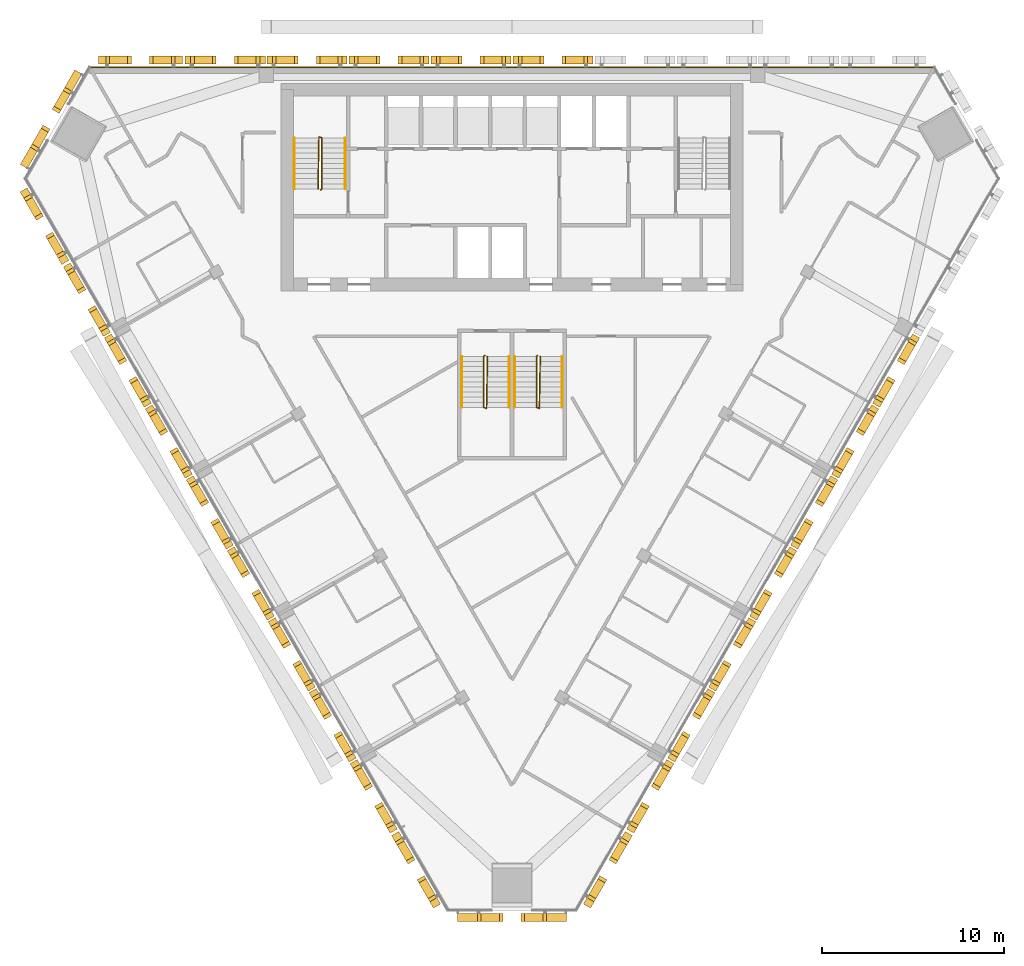
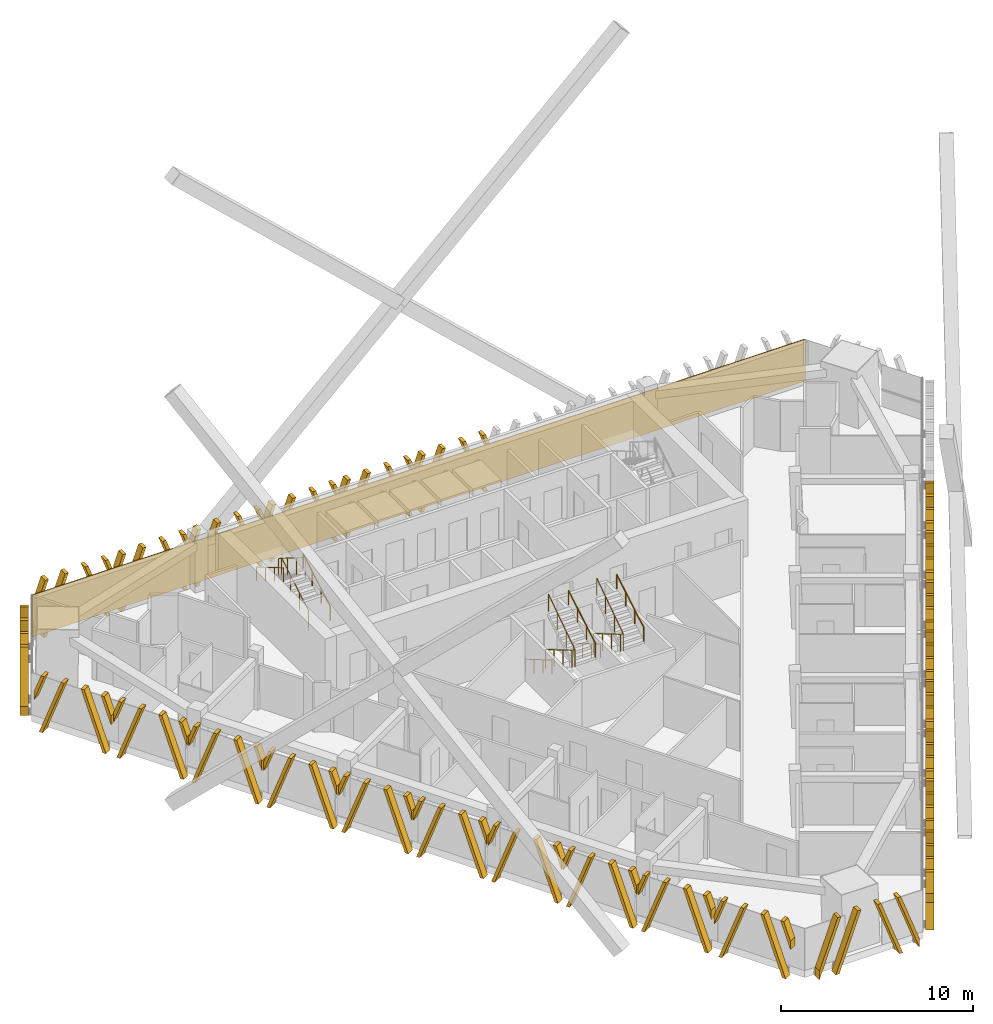
# One storey, part 16 of 18: 26 shading devices, 9 railings, 1 covering.
"""IFC4 building model written with IfcOpenShell, lengths in metres."""

from ifc_helpers import new_model, si_unit, direction, frame, frame_2d, origin, origin_2d, place, context, subcontext, project, spatial, polyline, rectangle, circle, outline, extrude, source, transform, mapped, material, layer, layer_set, type_object, element, save


model = new_model("IFC4")

# Units and contexts
model_context = context("Model", 3, precision=1e-05, world=origin(), true_north=direction((0.0, 1.0)))
body_context = subcontext(model_context, "Body", "Model", "MODEL_VIEW")
ifc_project = project(units=[si_unit("LENGTHUNIT", "METRE"), si_unit("AREAUNIT", "SQUARE_METRE"), si_unit("VOLUMEUNIT", "CUBIC_METRE"), si_unit("PLANEANGLEUNIT", "RADIAN"), si_unit("MASSUNIT", "GRAM", prefix="KILO")], contexts=[model_context])

# Site, building, storey
site_placement = place(None, origin())
site = spatial("IfcSite", under=ifc_project, at=site_placement, CompositionType="ELEMENT")
building_placement = place(site_placement, origin())
building = spatial("IfcBuilding", under=site, at=building_placement, Name="Altiplano Prism Tower", CompositionType="ELEMENT")
storey_placement = place(building_placement, frame((0.0, 0.0, 163.800048828125)))
storey = spatial("IfcBuildingStorey", under=building, at=storey_placement, Name="L42", CompositionType="ELEMENT", Elevation=163.800048828125)

# Railings
ifc_material_1 = material(Name="Steel S355", Category="steel")
railing_type_1 = type_object("IfcRailingType", Name="Stair guard 1100", PredefinedType="GUARDRAIL", material=ifc_material_1)
railing_1_placement = place(storey_placement, frame((74.5, 98.25, 0.0)))
element("IfcRailing", 1, at=railing_1_placement, inside=storey, type_object=railing_type_1, Name="L42 ST1 stair guard 1", PredefinedType="GUARDRAIL", context=body_context, shape_type="SweptSolid", body=[
    extrude(circle(Radius=0.02392578125, at=origin_2d()), frame((0.0, 0.0, 1.076171875), z_axis=(0.280808744504, 0.280808744504, 0.917765164963), x_axis=(-0.707106781187, 0.707106781187, 0.0)), (0.0, 0.0, 1.0), 0.17822265625),
    extrude(circle(Radius=0.02392578125, at=origin_2d()), frame((0.050048828125, 0.050048828125, 1.23974609375), z_axis=(0.0, 0.863360870873, 0.504586966384), x_axis=(-1.0, 0.0, 0.0)), (0.0, 0.0, 1.0), 3.2431640625),
    extrude(circle(Radius=0.02392578125, at=origin_2d()), frame((0.050048828125, 2.85009765625, 2.8759765625), z_axis=(-0.949145278916, 0.314838433982, 0.0), x_axis=(-0.314838433982, -0.949145278916, 0.0)), (0.0, 0.0, 1.0), 0.158203125),
    extrude(circle(Radius=0.02392578125, at=origin_2d()), frame((-0.10009765625, 2.89990234375, 2.8759765625), z_axis=(-0.014774583964, -0.845410385345, 0.533912906773), x_axis=(0.999847325713, -0.01747355902, 0.0)), (0.0, 0.0, 1.0), 3.370849609375),
    extrude(circle(Radius=0.02099609375, at=origin_2d()), origin(), (0.0, 0.0, 1.0), 1.052001953125),
    extrude(circle(Radius=0.02099609375, at=origin_2d()), frame((0.050048828125, 0.050048828125, 0.16357421875)), (0.0, 0.0, 1.0), 1.052001953125),
    extrude(circle(Radius=0.02099609375, at=origin_2d()), frame((0.050048828125, 0.9833984375, 0.708984375)), (0.0, 0.0, 1.0), 1.052001953125),
    extrude(circle(Radius=0.02099609375, at=origin_2d()), frame((0.050048828125, 1.916748046875, 1.254638671875)), (0.0, 0.0, 1.0), 1.052001953125),
    extrude(circle(Radius=0.02099609375, at=origin_2d()), frame((0.050048828125, 2.85009765625, 1.800048828125)), (0.0, 0.0, 1.0), 1.052001953125),
    extrude(circle(Radius=0.02099609375, at=origin_2d()), frame((-0.10009765625, 2.89990234375, 1.800048828125)), (0.0, 0.0, 1.0), 1.052001953125),
    extrude(circle(Radius=0.02099609375, at=origin_2d()), frame((-0.11669921875, 1.949951171875, 2.39990234375)), (0.0, 0.0, 1.0), 1.052001953125),
    extrude(circle(Radius=0.02099609375, at=origin_2d()), frame((-0.13330078125, 1.0, 3.0)), (0.0, 0.0, 1.0), 1.052001953125),
    extrude(circle(Radius=0.02099609375, at=origin_2d()), frame((-0.14990234375, 0.050048828125, 3.599853515625)), (0.0, 0.0, 1.0), 1.052001953125),
])
railing_2_placement = place(storey_placement, frame((83.5, 89.14990234375, 0.0)))
element("IfcRailing", 2, at=railing_2_placement, inside=storey, type_object=railing_type_1, Name="L42 ST3A stair guard 1", PredefinedType="GUARDRAIL", context=body_context, shape_type="SweptSolid", body=[
    extrude(circle(Radius=0.02392578125, at=origin_2d()), frame((0.0, 0.0, 1.076171875), z_axis=(-0.280916556609, -0.279546231943, 0.91811752648), x_axis=(0.705375805398, -0.708833529934, 0.0)), (0.0, 0.0, 1.0), 0.17822265625),
    extrude(circle(Radius=0.02392578125, at=origin_2d()), frame((-0.050048828125, -0.0498046875, 1.23974609375), z_axis=(0.0, -0.863360870873, 0.504586966384), x_axis=(1.0, 0.0, 0.0)), (0.0, 0.0, 1.0), 3.2431640625),
    extrude(circle(Radius=0.02392578125, at=origin_2d()), frame((-0.050048828125, -2.849853515625, 2.8759765625), z_axis=(0.948683298051, -0.316227766017, 0.0), x_axis=(0.316227766017, 0.948683298051, 0.0)), (0.0, 0.0, 1.0), 0.158203125),
    extrude(circle(Radius=0.02392578125, at=origin_2d()), frame((0.10009765625, -2.89990234375, 2.8759765625), z_axis=(0.014773679385, 0.845431044782, 0.53388021776), x_axis=(-0.999847351862, 0.017472062685, 0.0)), (0.0, 0.0, 1.0), 3.37109375),
    extrude(circle(Radius=0.02099609375, at=origin_2d()), origin(), (0.0, 0.0, 1.0), 1.052001953125),
    extrude(circle(Radius=0.02099609375, at=origin_2d()), frame((-0.050048828125, -0.0498046875, 0.16357421875)), (0.0, 0.0, 1.0), 1.052001953125),
    extrude(circle(Radius=0.02099609375, at=origin_2d()), frame((-0.050048828125, -0.983154296875, 0.708984375)), (0.0, 0.0, 1.0), 1.052001953125),
    extrude(circle(Radius=0.02099609375, at=origin_2d()), frame((-0.050048828125, -1.91650390625, 1.254638671875)), (0.0, 0.0, 1.0), 1.052001953125),
    extrude(circle(Radius=0.02099609375, at=origin_2d()), frame((-0.050048828125, -2.849853515625, 1.800048828125)), (0.0, 0.0, 1.0), 1.052001953125),
    extrude(circle(Radius=0.02099609375, at=origin_2d()), frame((0.10009765625, -2.89990234375, 1.800048828125)), (0.0, 0.0, 1.0), 1.052001953125),
    extrude(circle(Radius=0.02099609375, at=origin_2d()), frame((0.11669921875, -1.949951171875, 2.39990234375)), (0.0, 0.0, 1.0), 1.052001953125),
    extrude(circle(Radius=0.02099609375, at=origin_2d()), frame((0.13330078125, -0.999755859375, 3.0)), (0.0, 0.0, 1.0), 1.052001953125),
    extrude(circle(Radius=0.02099609375, at=origin_2d()), frame((0.14990234375, -0.0498046875, 3.599853515625)), (0.0, 0.0, 1.0), 1.052001953125),
])
railing_3_placement = place(storey_placement, frame((86.39990234375, 89.14990234375, 0.0)))
element("IfcRailing", 3, at=railing_3_placement, inside=storey, type_object=railing_type_1, Name="L42 ST3B stair guard 1", PredefinedType="GUARDRAIL", context=body_context, shape_type="SweptSolid", body=[
    extrude(circle(Radius=0.02392578125, at=origin_2d()), frame((0.0, 0.0, 1.076171875), z_axis=(-0.279653641804, -0.279653641804, 0.918470294159), x_axis=(0.707106781187, -0.707106781187, 0.0)), (0.0, 0.0, 1.0), 0.177978515625),
    extrude(circle(Radius=0.02392578125, at=origin_2d()), frame((-0.0498046875, -0.0498046875, 1.23974609375), z_axis=(0.0, -0.863360870873, 0.504586966384), x_axis=(1.0, 0.0, 0.0)), (0.0, 0.0, 1.0), 3.2431640625),
    extrude(circle(Radius=0.02392578125, at=origin_2d()), frame((-0.0498046875, -2.849853515625, 2.8759765625), z_axis=(0.948528701346, -0.316691178788, 0.0), x_axis=(0.316691178788, 0.948528701346, 0.0)), (0.0, 0.0, 1.0), 0.157958984375),
    extrude(circle(Radius=0.02392578125, at=origin_2d()), frame((0.10009765625, -2.89990234375, 2.8759765625), z_axis=(0.014846083459, 0.845430138032, 0.533879645158), x_axis=(-0.999845851991, 0.017557683712, 0.0)), (0.0, 0.0, 1.0), 3.37109375),
    extrude(circle(Radius=0.02099609375, at=origin_2d()), origin(), (0.0, 0.0, 1.0), 1.052001953125),
    extrude(circle(Radius=0.02099609375, at=origin_2d()), frame((-0.0498046875, -0.0498046875, 0.16357421875)), (0.0, 0.0, 1.0), 1.052001953125),
    extrude(circle(Radius=0.02099609375, at=origin_2d()), frame((-0.0498046875, -0.983154296875, 0.708984375)), (0.0, 0.0, 1.0), 1.052001953125),
    extrude(circle(Radius=0.02099609375, at=origin_2d()), frame((-0.0498046875, -1.91650390625, 1.254638671875)), (0.0, 0.0, 1.0), 1.052001953125),
    extrude(circle(Radius=0.02099609375, at=origin_2d()), frame((-0.0498046875, -2.849853515625, 1.800048828125)), (0.0, 0.0, 1.0), 1.052001953125),
    extrude(circle(Radius=0.02099609375, at=origin_2d()), frame((0.10009765625, -2.89990234375, 1.800048828125)), (0.0, 0.0, 1.0), 1.052001953125),
    extrude(circle(Radius=0.02099609375, at=origin_2d()), frame((0.11669921875, -1.949951171875, 2.39990234375)), (0.0, 0.0, 1.0), 1.052001953125),
    extrude(circle(Radius=0.02099609375, at=origin_2d()), frame((0.133544921875, -0.999755859375, 3.0)), (0.0, 0.0, 1.0), 1.052001953125),
    extrude(circle(Radius=0.02099609375, at=origin_2d()), frame((0.150146484375, -0.0498046875, 3.599853515625)), (0.0, 0.0, 1.0), 1.052001953125),
])
railing_type_2 = type_object("IfcRailingType", Name="Stair handrail 900", PredefinedType="HANDRAIL", material=ifc_material_1)
railing_4_placement = place(storey_placement, frame((75.85009765625, 98.300048828125, 0.16357421875)))
element("IfcRailing", 4, at=railing_4_placement, inside=storey, type_object=railing_type_2, Name="L42 ST1 stair handrail 1", PredefinedType="HANDRAIL", context=body_context, shape_type="SweptSolid", body=[
    extrude(circle(Radius=0.02392578125, at=origin_2d()), frame((0.0, 0.0, 0.8759765625), z_axis=(0.0, 0.863360870873, 0.504586966384), x_axis=(-1.0, 0.0, 0.0)), (0.0, 0.0, 1.0), 3.2431640625),
    extrude(circle(Radius=0.02099609375, at=origin_2d()), origin(), (0.0, 0.0, 1.0), 0.851806640625),
    extrude(circle(Radius=0.02099609375, at=origin_2d()), frame((0.0, 0.933349609375, 0.54541015625)), (0.0, 0.0, 1.0), 0.851806640625),
    extrude(circle(Radius=0.02099609375, at=origin_2d()), frame((0.0, 1.86669921875, 1.091064453125)), (0.0, 0.0, 1.0), 0.851806640625),
    extrude(circle(Radius=0.02099609375, at=origin_2d()), frame((0.0, 2.800048828125, 1.636474609375)), (0.0, 0.0, 1.0), 0.851806640625),
])
railing_5_placement = place(storey_placement, frame((73.050048828125, 101.10009765625, 1.963623046875)))
element("IfcRailing", 5, at=railing_5_placement, inside=storey, type_object=railing_type_2, Name="L42 ST1 stair handrail 2", PredefinedType="HANDRAIL", context=body_context, shape_type="SweptSolid", body=[
    extrude(circle(Radius=0.02392578125, at=origin_2d()), frame((0.0, 0.0, 0.8759765625), z_axis=(0.0, -0.863393664356, 0.504530851732), x_axis=(1.0, 0.0, 0.0)), (0.0, 0.0, 1.0), 3.2431640625),
    extrude(circle(Radius=0.02099609375, at=origin_2d()), origin(), (0.0, 0.0, 1.0), 0.851806640625),
    extrude(circle(Radius=0.02099609375, at=origin_2d()), frame((0.0, -0.933349609375, 0.54541015625)), (0.0, 0.0, 1.0), 0.851806640625),
    extrude(circle(Radius=0.02099609375, at=origin_2d()), frame((0.0, -1.86669921875, 1.0908203125)), (0.0, 0.0, 1.0), 0.851806640625),
    extrude(circle(Radius=0.02099609375, at=origin_2d()), frame((0.0, -2.800048828125, 1.63623046875)), (0.0, 0.0, 1.0), 0.851806640625),
])
railing_6_placement = place(storey_placement, frame((82.25, 89.10009765625, 0.16357421875)))
element("IfcRailing", 6, at=railing_6_placement, inside=storey, type_object=railing_type_2, Name="L42 ST3A stair handrail 1", PredefinedType="HANDRAIL", context=body_context, shape_type="SweptSolid", body=[
    extrude(circle(Radius=0.02392578125, at=origin_2d()), frame((0.0, 0.0, 0.8759765625), z_axis=(0.0, -0.863360870873, 0.504586966384), x_axis=(1.0, 0.0, 0.0)), (0.0, 0.0, 1.0), 3.2431640625),
    extrude(circle(Radius=0.02099609375, at=origin_2d()), origin(), (0.0, 0.0, 1.0), 0.851806640625),
    extrude(circle(Radius=0.02099609375, at=origin_2d()), frame((0.0, -0.933349609375, 0.54541015625)), (0.0, 0.0, 1.0), 0.851806640625),
    extrude(circle(Radius=0.02099609375, at=origin_2d()), frame((0.0, -1.86669921875, 1.091064453125)), (0.0, 0.0, 1.0), 0.851806640625),
    extrude(circle(Radius=0.02099609375, at=origin_2d()), frame((0.0, -2.800048828125, 1.636474609375)), (0.0, 0.0, 1.0), 0.851806640625),
])
railing_7_placement = place(storey_placement, frame((84.85009765625, 86.300048828125, 1.963623046875)))
element("IfcRailing", 7, at=railing_7_placement, inside=storey, type_object=railing_type_2, Name="L42 ST3A stair handrail 2", PredefinedType="HANDRAIL", context=body_context, shape_type="SweptSolid", body=[
    extrude(circle(Radius=0.02392578125, at=origin_2d()), frame((0.0, 0.0, 0.8759765625), z_axis=(0.0, 0.863393664356, 0.504530851732), x_axis=(-1.0, 0.0, 0.0)), (0.0, 0.0, 1.0), 3.2431640625),
    extrude(circle(Radius=0.02099609375, at=origin_2d()), origin(), (0.0, 0.0, 1.0), 0.851806640625),
    extrude(circle(Radius=0.02099609375, at=origin_2d()), frame((0.0, 0.933349609375, 0.54541015625)), (0.0, 0.0, 1.0), 0.851806640625),
    extrude(circle(Radius=0.02099609375, at=origin_2d()), frame((0.0, 1.86669921875, 1.0908203125)), (0.0, 0.0, 1.0), 0.851806640625),
    extrude(circle(Radius=0.02099609375, at=origin_2d()), frame((0.0, 2.800048828125, 1.63623046875)), (0.0, 0.0, 1.0), 0.851806640625),
])
railing_8_placement = place(storey_placement, frame((85.14990234375, 89.10009765625, 0.16357421875)))
element("IfcRailing", 8, at=railing_8_placement, inside=storey, type_object=railing_type_2, Name="L42 ST3B stair handrail 1", PredefinedType="HANDRAIL", context=body_context, shape_type="SweptSolid", body=[
    extrude(circle(Radius=0.02392578125, at=origin_2d()), frame((0.0, 0.0, 0.8759765625), z_axis=(0.0, -0.863360870873, 0.504586966384), x_axis=(1.0, 0.0, 0.0)), (0.0, 0.0, 1.0), 3.2431640625),
    extrude(circle(Radius=0.02099609375, at=origin_2d()), origin(), (0.0, 0.0, 1.0), 0.851806640625),
    extrude(circle(Radius=0.02099609375, at=origin_2d()), frame((0.0, -0.933349609375, 0.54541015625)), (0.0, 0.0, 1.0), 0.851806640625),
    extrude(circle(Radius=0.02099609375, at=origin_2d()), frame((0.0, -1.86669921875, 1.091064453125)), (0.0, 0.0, 1.0), 0.851806640625),
    extrude(circle(Radius=0.02099609375, at=origin_2d()), frame((0.0, -2.800048828125, 1.636474609375)), (0.0, 0.0, 1.0), 0.851806640625),
])
railing_9_placement = place(storey_placement, frame((87.75, 86.300048828125, 1.963623046875)))
element("IfcRailing", 9, at=railing_9_placement, inside=storey, type_object=railing_type_2, Name="L42 ST3B stair handrail 2", PredefinedType="HANDRAIL", context=body_context, shape_type="SweptSolid", body=[
    extrude(circle(Radius=0.02392578125, at=origin_2d()), frame((0.0, 0.0, 0.8759765625), z_axis=(0.0, 0.863393664356, 0.504530851732), x_axis=(-1.0, 0.0, 0.0)), (0.0, 0.0, 1.0), 3.2431640625),
    extrude(circle(Radius=0.02099609375, at=origin_2d()), origin(), (0.0, 0.0, 1.0), 0.851806640625),
    extrude(circle(Radius=0.02099609375, at=origin_2d()), frame((0.0, 0.933349609375, 0.54541015625)), (0.0, 0.0, 1.0), 0.851806640625),
    extrude(circle(Radius=0.02099609375, at=origin_2d()), frame((0.0, 1.86669921875, 1.0908203125)), (0.0, 0.0, 1.0), 0.851806640625),
    extrude(circle(Radius=0.02099609375, at=origin_2d()), frame((0.0, 2.800048828125, 1.63623046875)), (0.0, 0.0, 1.0), 0.851806640625),
])

# Covering
ifc_material_2 = material(Name="Warm limestone cast stone", Category="masonry")
ifc_layer = layer(ifc_material_2, 0.06005859375)
ifc_layer_set = layer_set([ifc_layer], Name="Warm limestone cast stone")
covering_type = type_object("IfcCoveringType", Name="Stone cladding 60", PredefinedType="CLADDING", material=ifc_layer_set)
covering_placement = place(storey_placement, frame((61.78125, 104.969970703125, 0.0), z_axis=(0.0, 0.0, 1.0), x_axis=(1.0, 0.0, 0.0)))
element("IfcCovering", 10, at=covering_placement, inside=storey, type_object=covering_type, Name="Stone cladding north face L42", PredefinedType="CLADDING", context=body_context, shape_type="SweptSolid", body=[
    extrude(rectangle(XDim=46.4375, YDim=0.06005859375, at=frame_2d((23.21875, 0.0))), origin(), (0.0, 0.0, 1.0), 2.64990234375),
])

# Shading devices
shading_device_type_1 = type_object("IfcShadingDeviceType", Name="Stone fin panel, standard unit", PredefinedType="USERDEFINED", material=ifc_material_2)
shared_shape_1 = source(origin(), body_context, "Body", "SweptSolid", [
    extrude(outline(polyline([(-2.199951171875, 2.226318359375), (-1.699951171875, 3.60009765625), (-1.89990234375, 3.60009765625), (-2.199951171875, 2.77587890625), (-2.199951171875, 2.226318359375)])), frame((0.0, -0.14990234375, 0.0), z_axis=(0.0, -1.0, 0.0), x_axis=(1.0, 0.0, 0.0)), (0.0, 0.0, 1.0), 0.4501953125),
    extrude(outline(polyline([(-2.01025390625, 0.0), (-1.810302734375, 0.0), (-0.5, 3.60009765625), (-0.699951171875, 3.60009765625), (-2.01025390625, 0.0)])), frame((0.0, -0.14990234375, 0.0), z_axis=(0.0, -1.0, 0.0), x_axis=(1.0, 0.0, 0.0)), (0.0, 0.0, 1.0), 0.4501953125),
    extrude(outline(polyline([(1.810302734375, 0.0), (2.01025390625, 0.0), (0.699951171875, 3.60009765625), (0.5, 3.60009765625), (1.810302734375, 0.0)])), frame((0.0, -0.14990234375, 0.0), z_axis=(0.0, -1.0, 0.0), x_axis=(1.0, 0.0, 0.0)), (0.0, 0.0, 1.0), 0.4501953125),
    extrude(outline(polyline([(2.199951171875, 2.77587890625), (1.89990234375, 3.60009765625), (1.699951171875, 3.60009765625), (2.199951171875, 2.226318359375), (2.199951171875, 2.77587890625)])), frame((0.0, -0.14990234375, 0.0), z_axis=(0.0, -1.0, 0.0), x_axis=(1.0, 0.0, 0.0)), (0.0, 0.0, 1.0), 0.4501953125),
])
shading_device_1_placement = place(storey_placement, origin())
element("IfcShadingDevice", 11, at=shading_device_1_placement, inside=storey, type_object=shading_device_type_1, Name="Fin L42 north face 5", ObjectType="FIN", PredefinedType="USERDEFINED", context=body_context, shape_type="MappedRepresentation", body=[
    mapped(shared_shape_1, transform((87.25, 105.0, -0.449951171875), x_axis=(-1.0, 0.0, 0.0), y_axis=(0.0, -1.0, 0.0), z_axis=(0.0, 0.0, 1.0))),
])
shading_device_2_placement = place(storey_placement, origin())
element("IfcShadingDevice", 12, at=shading_device_2_placement, inside=storey, type_object=shading_device_type_1, Name="Fin L42 north face 6", ObjectType="FIN", PredefinedType="USERDEFINED", context=body_context, shape_type="MappedRepresentation", body=[
    mapped(shared_shape_1, transform((82.75, 105.0, -0.449951171875), x_axis=(-1.0, 0.0, 0.0), y_axis=(0.0, -1.0, 0.0), z_axis=(0.0, 0.0, 1.0))),
])
shading_device_3_placement = place(storey_placement, origin())
element("IfcShadingDevice", 13, at=shading_device_3_placement, inside=storey, type_object=shading_device_type_1, Name="Fin L42 north face 7", ObjectType="FIN", PredefinedType="USERDEFINED", context=body_context, shape_type="MappedRepresentation", body=[
    mapped(shared_shape_1, transform((78.25, 105.0, -0.449951171875), x_axis=(-1.0, 0.0, 0.0), y_axis=(0.0, -1.0, 0.0), z_axis=(0.0, 0.0, 1.0))),
])
shading_device_4_placement = place(storey_placement, origin())
element("IfcShadingDevice", 14, at=shading_device_4_placement, inside=storey, type_object=shading_device_type_1, Name="Fin L42 north face 8", ObjectType="FIN", PredefinedType="USERDEFINED", context=body_context, shape_type="MappedRepresentation", body=[
    mapped(shared_shape_1, transform((73.75, 105.0, -0.449951171875), x_axis=(-1.0, 0.0, 0.0), y_axis=(0.0, -1.0, 0.0), z_axis=(0.0, 0.0, 1.0))),
])
shading_device_5_placement = place(storey_placement, origin())
element("IfcShadingDevice", 15, at=shading_device_5_placement, inside=storey, type_object=shading_device_type_1, Name="Fin L42 north face 9", ObjectType="FIN", PredefinedType="USERDEFINED", context=body_context, shape_type="MappedRepresentation", body=[
    mapped(shared_shape_1, transform((69.25, 105.0, -0.449951171875), x_axis=(-1.0, 0.0, 0.0), y_axis=(0.0, -1.0, 0.0), z_axis=(0.0, 0.0, 1.0))),
])
shading_device_6_placement = place(storey_placement, origin())
element("IfcShadingDevice", 16, at=shading_device_6_placement, inside=storey, type_object=shading_device_type_1, Name="Fin L42 south-west face 2", ObjectType="FIN", PredefinedType="USERDEFINED", context=body_context, shape_type="MappedRepresentation", body=[
    mapped(shared_shape_1, transform((61.97802734375, 92.404541015625, -0.449951171875), x_axis=(0.500000004956, -0.866025400923, 0.0), y_axis=(0.866025400923, 0.500000004956, 0.0), z_axis=(0.0, 0.0, 1.0))),
])
shading_device_7_placement = place(storey_placement, origin())
element("IfcShadingDevice", 17, at=shading_device_7_placement, inside=storey, type_object=shading_device_type_1, Name="Fin L42 south-west face 3", ObjectType="FIN", PredefinedType="USERDEFINED", context=body_context, shape_type="MappedRepresentation", body=[
    mapped(shared_shape_1, transform((64.22802734375, 88.507568359375, -0.449951171875), x_axis=(0.500000004956, -0.866025400923, 0.0), y_axis=(0.866025400923, 0.500000004956, 0.0), z_axis=(0.0, 0.0, 1.0))),
])
shading_device_8_placement = place(storey_placement, origin())
element("IfcShadingDevice", 18, at=shading_device_8_placement, inside=storey, type_object=shading_device_type_1, Name="Fin L42 south-west face 4", ObjectType="FIN", PredefinedType="USERDEFINED", context=body_context, shape_type="MappedRepresentation", body=[
    mapped(shared_shape_1, transform((66.47802734375, 84.6103515625, -0.449951171875), x_axis=(0.500000004956, -0.866025400923, 0.0), y_axis=(0.866025400923, 0.500000004956, 0.0), z_axis=(0.0, 0.0, 1.0))),
])
shading_device_9_placement = place(storey_placement, origin())
element("IfcShadingDevice", 19, at=shading_device_9_placement, inside=storey, type_object=shading_device_type_1, Name="Fin L42 south-west face 5", ObjectType="FIN", PredefinedType="USERDEFINED", context=body_context, shape_type="MappedRepresentation", body=[
    mapped(shared_shape_1, transform((68.72802734375, 80.71337890625, -0.449951171875), x_axis=(0.500000004956, -0.866025400923, 0.0), y_axis=(0.866025400923, 0.500000004956, 0.0), z_axis=(0.0, 0.0, 1.0))),
])
shading_device_10_placement = place(storey_placement, origin())
element("IfcShadingDevice", 20, at=shading_device_10_placement, inside=storey, type_object=shading_device_type_1, Name="Fin L42 south-west face 6", ObjectType="FIN", PredefinedType="USERDEFINED", context=body_context, shape_type="MappedRepresentation", body=[
    mapped(shared_shape_1, transform((70.97802734375, 76.816162109375, -0.449951171875), x_axis=(0.500000004956, -0.866025400923, 0.0), y_axis=(0.866025400923, 0.500000004956, 0.0), z_axis=(0.0, 0.0, 1.0))),
])
shading_device_11_placement = place(storey_placement, origin())
element("IfcShadingDevice", 21, at=shading_device_11_placement, inside=storey, type_object=shading_device_type_1, Name="Fin L42 south-west face 7", ObjectType="FIN", PredefinedType="USERDEFINED", context=body_context, shape_type="MappedRepresentation", body=[
    mapped(shared_shape_1, transform((73.22802734375, 72.919189453125, -0.449951171875), x_axis=(0.500000004956, -0.866025400923, 0.0), y_axis=(0.866025400923, 0.500000004956, 0.0), z_axis=(0.0, 0.0, 1.0))),
])
shading_device_12_placement = place(storey_placement, origin())
element("IfcShadingDevice", 22, at=shading_device_12_placement, inside=storey, type_object=shading_device_type_1, Name="Fin L42 south-west face 8", ObjectType="FIN", PredefinedType="USERDEFINED", context=body_context, shape_type="MappedRepresentation", body=[
    mapped(shared_shape_1, transform((75.47802734375, 69.02197265625, -0.449951171875), x_axis=(0.500000004956, -0.866025400923, 0.0), y_axis=(0.866025400923, 0.500000004956, 0.0), z_axis=(0.0, 0.0, 1.0))),
])
shading_device_13_placement = place(storey_placement, origin())
element("IfcShadingDevice", 23, at=shading_device_13_placement, inside=storey, type_object=shading_device_type_1, Name="Fin L42 south-west face 9", ObjectType="FIN", PredefinedType="USERDEFINED", context=body_context, shape_type="MappedRepresentation", body=[
    mapped(shared_shape_1, transform((77.72802734375, 65.124755859375, -0.449951171875), x_axis=(0.500000004956, -0.866025400923, 0.0), y_axis=(0.866025400923, 0.500000004956, 0.0), z_axis=(0.0, 0.0, 1.0))),
])
shading_device_14_placement = place(storey_placement, origin())
element("IfcShadingDevice", 24, at=shading_device_14_placement, inside=storey, type_object=shading_device_type_1, Name="Fin L42 south-east face 2", ObjectType="FIN", PredefinedType="USERDEFINED", context=body_context, shape_type="MappedRepresentation", body=[
    mapped(shared_shape_1, transform((92.27197265625, 65.124755859375, -0.449951171875), x_axis=(0.500000004956, 0.866025400923, 0.0), y_axis=(-0.866025400923, 0.500000004956, 0.0), z_axis=(0.0, 0.0, 1.0))),
])
shading_device_15_placement = place(storey_placement, origin())
element("IfcShadingDevice", 25, at=shading_device_15_placement, inside=storey, type_object=shading_device_type_1, Name="Fin L42 south-east face 3", ObjectType="FIN", PredefinedType="USERDEFINED", context=body_context, shape_type="MappedRepresentation", body=[
    mapped(shared_shape_1, transform((94.52197265625, 69.02197265625, -0.449951171875), x_axis=(0.500000004956, 0.866025400923, 0.0), y_axis=(-0.866025400923, 0.500000004956, 0.0), z_axis=(0.0, 0.0, 1.0))),
])
shading_device_16_placement = place(storey_placement, origin())
element("IfcShadingDevice", 26, at=shading_device_16_placement, inside=storey, type_object=shading_device_type_1, Name="Fin L42 south-east face 4", ObjectType="FIN", PredefinedType="USERDEFINED", context=body_context, shape_type="MappedRepresentation", body=[
    mapped(shared_shape_1, transform((96.77197265625, 72.919189453125, -0.449951171875), x_axis=(0.500000004956, 0.866025400923, 0.0), y_axis=(-0.866025400923, 0.500000004956, 0.0), z_axis=(0.0, 0.0, 1.0))),
])
shading_device_17_placement = place(storey_placement, origin())
element("IfcShadingDevice", 27, at=shading_device_17_placement, inside=storey, type_object=shading_device_type_1, Name="Fin L42 south-east face 5", ObjectType="FIN", PredefinedType="USERDEFINED", context=body_context, shape_type="MappedRepresentation", body=[
    mapped(shared_shape_1, transform((99.02197265625, 76.816162109375, -0.449951171875), x_axis=(0.500000004956, 0.866025400923, 0.0), y_axis=(-0.866025400923, 0.500000004956, 0.0), z_axis=(0.0, 0.0, 1.0))),
])
shading_device_18_placement = place(storey_placement, origin())
element("IfcShadingDevice", 28, at=shading_device_18_placement, inside=storey, type_object=shading_device_type_1, Name="Fin L42 south-east face 6", ObjectType="FIN", PredefinedType="USERDEFINED", context=body_context, shape_type="MappedRepresentation", body=[
    mapped(shared_shape_1, transform((101.27197265625, 80.71337890625, -0.449951171875), x_axis=(0.500000004956, 0.866025400923, 0.0), y_axis=(-0.866025400923, 0.500000004956, 0.0), z_axis=(0.0, 0.0, 1.0))),
])
shading_device_19_placement = place(storey_placement, origin())
element("IfcShadingDevice", 29, at=shading_device_19_placement, inside=storey, type_object=shading_device_type_1, Name="Fin L42 south-east face 7", ObjectType="FIN", PredefinedType="USERDEFINED", context=body_context, shape_type="MappedRepresentation", body=[
    mapped(shared_shape_1, transform((103.52197265625, 84.6103515625, -0.449951171875), x_axis=(0.500000004956, 0.866025400923, 0.0), y_axis=(-0.866025400923, 0.500000004956, 0.0), z_axis=(0.0, 0.0, 1.0))),
])
shading_device_20_placement = place(storey_placement, origin())
element("IfcShadingDevice", 30, at=shading_device_20_placement, inside=storey, type_object=shading_device_type_1, Name="Fin L42 south-east face 8", ObjectType="FIN", PredefinedType="USERDEFINED", context=body_context, shape_type="MappedRepresentation", body=[
    mapped(shared_shape_1, transform((105.77197265625, 88.507568359375, -0.449951171875), x_axis=(0.500000004956, 0.866025400923, 0.0), y_axis=(-0.866025400923, 0.500000004956, 0.0), z_axis=(0.0, 0.0, 1.0))),
])
shading_device_type_2 = type_object("IfcShadingDeviceType", Name="Stone fin panel, wide closing bay", PredefinedType="USERDEFINED", material=ifc_material_2)
shared_shape_2 = source(origin(), body_context, "Body", "SweptSolid", [
    extrude(outline(polyline([(-2.300048828125, 1.951416015625), (-1.699951171875, 3.60009765625), (-1.89990234375, 3.60009765625), (-2.300048828125, 2.5009765625), (-2.300048828125, 1.951416015625)])), frame((0.0, -0.14990234375, 0.0), z_axis=(0.0, -1.0, 0.0), x_axis=(1.0, 0.0, 0.0)), (0.0, 0.0, 1.0), 0.4501953125),
    extrude(outline(polyline([(-2.01025390625, 0.0), (-1.810302734375, 0.0), (-0.5, 3.60009765625), (-0.699951171875, 3.60009765625), (-2.01025390625, 0.0)])), frame((0.0, -0.14990234375, 0.0), z_axis=(0.0, -1.0, 0.0), x_axis=(1.0, 0.0, 0.0)), (0.0, 0.0, 1.0), 0.4501953125),
    extrude(outline(polyline([(1.810302734375, 0.0), (2.01025390625, 0.0), (0.699951171875, 3.60009765625), (0.5, 3.60009765625), (1.810302734375, 0.0)])), frame((0.0, -0.14990234375, 0.0), z_axis=(0.0, -1.0, 0.0), x_axis=(1.0, 0.0, 0.0)), (0.0, 0.0, 1.0), 0.4501953125),
    extrude(outline(polyline([(2.300048828125, 2.5009765625), (1.89990234375, 3.60009765625), (1.699951171875, 3.60009765625), (2.300048828125, 1.951416015625), (2.300048828125, 2.5009765625)])), frame((0.0, -0.14990234375, 0.0), z_axis=(0.0, -1.0, 0.0), x_axis=(1.0, 0.0, 0.0)), (0.0, 0.0, 1.0), 0.4501953125),
])
shading_device_21_placement = place(storey_placement, origin())
element("IfcShadingDevice", 31, at=shading_device_21_placement, inside=storey, type_object=shading_device_type_2, Name="Fin L42 north face 10", ObjectType="FIN", PredefinedType="USERDEFINED", context=body_context, shape_type="MappedRepresentation", body=[
    mapped(shared_shape_2, transform((64.590576171875, 105.0, -0.449951171875), x_axis=(-1.0, 0.0, 0.0), y_axis=(0.0, -1.0, 0.0), z_axis=(0.0, 0.0, 1.0))),
])
shading_device_22_placement = place(storey_placement, origin())
element("IfcShadingDevice", 32, at=shading_device_22_placement, inside=storey, type_object=shading_device_type_2, Name="Fin L42 south-west face 1", ObjectType="FIN", PredefinedType="USERDEFINED", context=body_context, shape_type="MappedRepresentation", body=[
    mapped(shared_shape_2, transform((59.6484375, 96.439697265625, -0.449951171875), x_axis=(0.500000004956, -0.866025400923, 0.0), y_axis=(0.866025400923, 0.500000004956, 0.0), z_axis=(0.0, 0.0, 1.0))),
])
shading_device_23_placement = place(storey_placement, origin())
element("IfcShadingDevice", 33, at=shading_device_23_placement, inside=storey, type_object=shading_device_type_2, Name="Fin L42 south-west face 10", ObjectType="FIN", PredefinedType="USERDEFINED", context=body_context, shape_type="MappedRepresentation", body=[
    mapped(shared_shape_2, transform((80.057861328125, 61.08984375, -0.449951171875), x_axis=(0.500000004956, -0.866025400923, 0.0), y_axis=(0.866025400923, 0.500000004956, 0.0), z_axis=(0.0, 0.0, 1.0))),
])
shading_device_24_placement = place(storey_placement, origin())
element("IfcShadingDevice", 34, at=shading_device_24_placement, inside=storey, type_object=shading_device_type_2, Name="Fin L42 south-east face 1", ObjectType="FIN", PredefinedType="USERDEFINED", context=body_context, shape_type="MappedRepresentation", body=[
    mapped(shared_shape_2, transform((89.942138671875, 61.08984375, -0.449951171875), x_axis=(0.500000004956, 0.866025400923, 0.0), y_axis=(-0.866025400923, 0.500000004956, 0.0), z_axis=(0.0, 0.0, 1.0))),
])
shading_device_type_3 = type_object("IfcShadingDeviceType", Name="Stone fin panel, chamfer unit", PredefinedType="USERDEFINED", material=ifc_material_2)
shared_shape_3 = source(origin(), body_context, "Body", "SweptSolid", [
    extrude(outline(polyline([(-3.0, 0.0283203125), (-1.699951171875, 3.60009765625), (-1.89990234375, 3.60009765625), (-3.0, 0.577880859375), (-3.0, 0.0283203125)])), frame((0.0, -0.14990234375, 0.0), z_axis=(0.0, -1.0, 0.0), x_axis=(1.0, 0.0, 0.0)), (0.0, 0.0, 1.0), 0.4501953125),
    extrude(outline(polyline([(-2.01025390625, 0.0), (-1.810302734375, 0.0), (-0.5, 3.60009765625), (-0.699951171875, 3.60009765625), (-2.01025390625, 0.0)])), frame((0.0, -0.14990234375, 0.0), z_axis=(0.0, -1.0, 0.0), x_axis=(1.0, 0.0, 0.0)), (0.0, 0.0, 1.0), 0.4501953125),
    extrude(outline(polyline([(1.810302734375, 0.0), (2.01025390625, 0.0), (0.699951171875, 3.60009765625), (0.5, 3.60009765625), (1.810302734375, 0.0)])), frame((0.0, -0.14990234375, 0.0), z_axis=(0.0, -1.0, 0.0), x_axis=(1.0, 0.0, 0.0)), (0.0, 0.0, 1.0), 0.4501953125),
    extrude(outline(polyline([(3.0, 0.577880859375), (1.89990234375, 3.60009765625), (1.699951171875, 3.60009765625), (3.0, 0.0283203125), (3.0, 0.577880859375)])), frame((0.0, -0.14990234375, 0.0), z_axis=(0.0, -1.0, 0.0), x_axis=(1.0, 0.0, 0.0)), (0.0, 0.0, 1.0), 0.4501953125),
])
shading_device_25_placement = place(storey_placement, origin())
element("IfcShadingDevice", 35, at=shading_device_25_placement, inside=storey, type_object=shading_device_type_3, Name="Fin L42 north-west chamfer 1", ObjectType="FIN", PredefinedType="USERDEFINED", context=body_context, shape_type="MappedRepresentation", body=[
    mapped(shared_shape_3, transform((60.012451171875, 101.936279296875, -0.449951171875), x_axis=(-0.500000015054, -0.866025395093, 0.0), y_axis=(0.866025395093, -0.500000015054, 0.0), z_axis=(0.0, 0.0, 1.0))),
])
shading_device_26_placement = place(storey_placement, origin())
element("IfcShadingDevice", 36, at=shading_device_26_placement, inside=storey, type_object=shading_device_type_3, Name="Fin L42 south chamfer 1", ObjectType="FIN", PredefinedType="USERDEFINED", context=body_context, shape_type="MappedRepresentation", body=[
    mapped(shared_shape_3, transform((85.0, 58.65673828125, -0.449951171875), x_axis=(1.0, 0.0, 0.0), y_axis=(0.0, 1.0, 0.0), z_axis=(0.0, 0.0, 1.0))),
])

save(model, "model.ifc")
